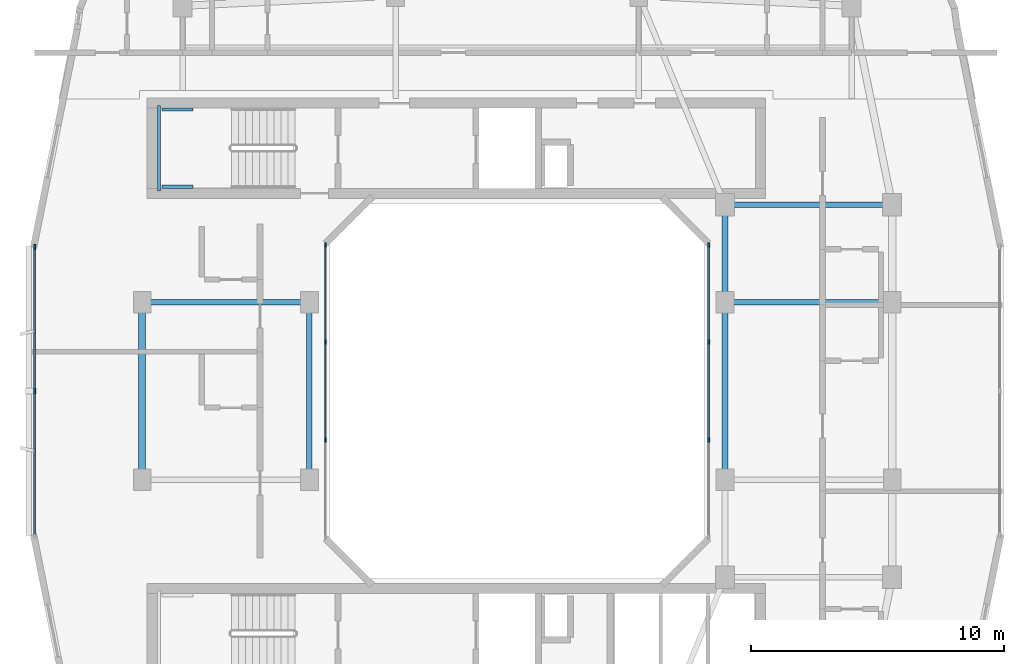
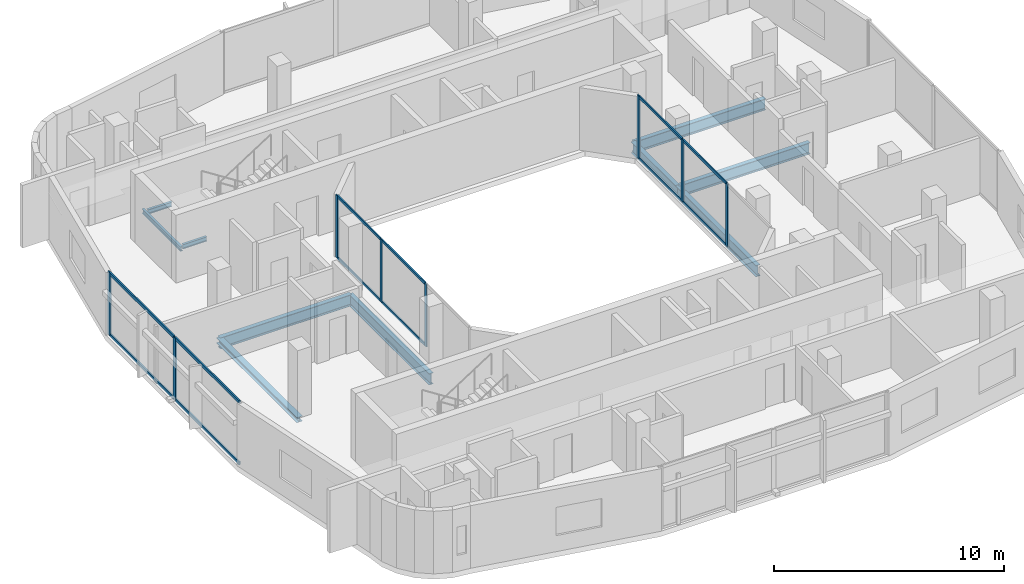
# One storey, part 3 of 14: 20 members, 10 beams, 3 elements without a shape of their own.
"""IFC4 building model written with IfcOpenShell, lengths in metres."""

from ifc_helpers import new_model, si_unit, derived_unit, direction, frame, origin, origin_2d, place, context, subcontext, project, spatial, rectangle, i_section, extrude, material, layer, layer_set, material_profile, profile_set, type_object, element, aggregate, save


model = new_model("IFC4")

# Units and contexts
model_context = context("Model", 3, precision=1e-05, world=origin(), true_north=direction((0.0, 1.0)))
body_context = subcontext(model_context, "Body", "Model", "MODEL_VIEW")
ifc_project = project(units=[si_unit("LENGTHUNIT", "METRE"), si_unit("AREAUNIT", "SQUARE_METRE"), si_unit("VOLUMEUNIT", "CUBIC_METRE"), si_unit("PLANEANGLEUNIT", "RADIAN"), si_unit("MASSUNIT", "GRAM", prefix="KILO"), derived_unit("THERMALTRANSMITTANCEUNIT", [(si_unit("POWERUNIT", "WATT"), 1), (si_unit("LENGTHUNIT", "METRE"), -2), (si_unit("THERMODYNAMICTEMPERATUREUNIT", "KELVIN"), -1)])], contexts=[model_context])

# Site, building, storey
site_placement = place(None, origin())
site = spatial("IfcSite", under=ifc_project, at=site_placement, CompositionType="ELEMENT")
building_placement = place(site_placement, origin())
building = spatial("IfcBuilding", under=site, at=building_placement, Name="Kivonza Crest Hotel", CompositionType="ELEMENT")
storey_placement = place(building_placement, frame((0.0, 0.0, 202.699951171875)))
storey = spatial("IfcBuildingStorey", under=building, at=storey_placement, Name="L55", CompositionType="ELEMENT", Elevation=202.699951171875)

# Beams
ifc_material_1 = material(Name="Steel S355", Category="steel")
ifc_material_profile_1 = material_profile(ifc_material_1, i_section(OverallWidth=0.280029296875, OverallDepth=0.280029296875, WebThickness=0.010498046875, FlangeThickness=0.01806640625, FilletRadius=0.02392578125, at=origin_2d()), Name="HEB 280")
ifc_profile_set_1 = profile_set([ifc_material_profile_1], Name="Steel S355")
beam_type_1 = type_object("IfcBeamType", Name="BM-HEB280", PredefinedType="SPANDREL", material=ifc_profile_set_1)
beam_1_placement = place(storey_placement, frame((6.199951171875, 28.5, -0.419921875), z_axis=(0.0, -1.0, 0.0), x_axis=(1.0, 0.0, 0.0)))
element("IfcBeam", 1, at=beam_1_placement, inside=storey, type_object=beam_type_1, Name="Tower T1 L55 perimeter spandrel W2-W1", PredefinedType="SPANDREL", context=body_context, shape_type="SweptSolid", body=[
    extrude(i_section(OverallWidth=0.280029296875, OverallDepth=0.280029296875, WebThickness=0.010498046875, FlangeThickness=0.01806640625, FilletRadius=0.02392578125, at=origin_2d()), origin(), (0.0, 0.0, 1.0), 7.0),
])
ifc_material_profile_2 = material_profile(ifc_material_1, i_section(OverallWidth=0.219970703125, OverallDepth=0.60009765625, WebThickness=0.011962890625, FlangeThickness=0.01904296875, FilletRadius=0.02392578125, at=origin_2d()), Name="IPE 600")
ifc_profile_set_2 = profile_set([ifc_material_profile_2], Name="Steel S355")
beam_type_2 = type_object("IfcBeamType", Name="BM-IPE600", PredefinedType="BEAM", material=ifc_profile_set_2)
beam_2_placement = place(storey_placement, frame((6.199951171875, 28.5, -0.579833984375), z_axis=(1.0, 0.0, 0.0), x_axis=(0.0, 1.0, 0.0)))
element("IfcBeam", 2, at=beam_2_placement, inside=storey, type_object=beam_type_2, Name="Tower T1 L55 primary girder W2-WL2", PredefinedType="BEAM", context=body_context, shape_type="SweptSolid", body=[
    extrude(i_section(OverallWidth=0.219970703125, OverallDepth=0.60009765625, WebThickness=0.011962890625, FlangeThickness=0.01904296875, FilletRadius=0.02392578125, at=origin_2d()), origin(), (0.0, 0.0, 1.0), 6.60009765625),
])
beam_3_placement = place(storey_placement, frame((12.800048828125, 21.5, -0.579833984375), z_axis=(0.0, 1.0, 0.0), x_axis=(-1.0, 0.0, 0.0)))
element("IfcBeam", 3, at=beam_3_placement, inside=storey, type_object=beam_type_2, Name="Tower T1 L55 primary girder WL1-WL2", PredefinedType="BEAM", context=body_context, shape_type="SweptSolid", body=[
    extrude(i_section(OverallWidth=0.219970703125, OverallDepth=0.60009765625, WebThickness=0.011962890625, FlangeThickness=0.01904296875, FilletRadius=0.02392578125, at=origin_2d()), origin(), (0.0, 0.0, 1.0), 7.0),
])
beam_4_placement = place(storey_placement, frame((29.199951171875, 32.35009765625, -0.579833984375), z_axis=(1.0, 0.0, 0.0), x_axis=(0.0, 1.0, 0.0)))
element("IfcBeam", 4, at=beam_4_placement, inside=storey, type_object=beam_type_2, Name="Tower T1 L55 primary girder TNE-PNE", PredefinedType="BEAM", context=body_context, shape_type="SweptSolid", body=[
    extrude(i_section(OverallWidth=0.219970703125, OverallDepth=0.60009765625, WebThickness=0.011962890625, FlangeThickness=0.01904296875, FilletRadius=0.02392578125, at=origin_2d()), origin(), (0.0, 0.0, 1.0), 6.60009765625),
])
beam_5_placement = place(storey_placement, frame((29.199951171875, 21.5, -0.579833984375), z_axis=(0.0, 1.0, 0.0), x_axis=(-1.0, 0.0, 0.0)))
element("IfcBeam", 5, at=beam_5_placement, inside=storey, type_object=beam_type_2, Name="Tower T1 L55 primary girder WR1-WR2", PredefinedType="BEAM", context=body_context, shape_type="SweptSolid", body=[
    extrude(i_section(OverallWidth=0.219970703125, OverallDepth=0.60009765625, WebThickness=0.011962890625, FlangeThickness=0.01904296875, FilletRadius=0.02392578125, at=origin_2d()), origin(), (0.0, 0.0, 1.0), 7.0),
])
beam_6_placement = place(storey_placement, frame((29.199951171875, 28.5, -0.579833984375), z_axis=(0.0, 1.0, 0.0), x_axis=(-1.0, 0.0, 0.0)))
element("IfcBeam", 6, at=beam_6_placement, inside=storey, type_object=beam_type_2, Name="Tower T1 L55 primary girder WR2-TNE", PredefinedType="BEAM", context=body_context, shape_type="SweptSolid", body=[
    extrude(i_section(OverallWidth=0.219970703125, OverallDepth=0.60009765625, WebThickness=0.011962890625, FlangeThickness=0.01904296875, FilletRadius=0.02392578125, at=origin_2d()), origin(), (0.0, 0.0, 1.0), 3.85009765625),
])
beam_7_placement = place(storey_placement, frame((29.199951171875, 28.5, -0.579833984375), z_axis=(1.0, 0.0, 0.0), x_axis=(0.0, 1.0, 0.0)))
element("IfcBeam", 7, at=beam_7_placement, inside=storey, type_object=beam_type_2, Name="Tower T1 L55 primary girder WR2-E2", PredefinedType="BEAM", context=body_context, shape_type="SweptSolid", body=[
    extrude(i_section(OverallWidth=0.219970703125, OverallDepth=0.60009765625, WebThickness=0.011962890625, FlangeThickness=0.01904296875, FilletRadius=0.02392578125, at=origin_2d()), origin(), (0.0, 0.0, 1.0), 6.60009765625),
])
ifc_material_profile_3 = material_profile(ifc_material_1, i_section(OverallWidth=0.1201171875, OverallDepth=0.239990234375, WebThickness=0.006103515625, FlangeThickness=0.009765625, FilletRadius=0.014892578125, at=origin_2d()), Name="IPE 240")
ifc_profile_set_3 = profile_set([ifc_material_profile_3], Name="Steel S355")
beam_type_3 = type_object("IfcBeamType", Name="BM-LLDG-240", PredefinedType="BEAM", material=ifc_profile_set_3)
beam_8_placement = place(storey_placement, frame((6.860107421875, 32.89990234375, 1.47998046875), z_axis=(0.0, 1.0, 0.0), x_axis=(-1.0, 0.0, 0.0)))
element("IfcBeam", 8, at=beam_8_placement, inside=storey, type_object=beam_type_3, Name="Stair ST-T1-N L55 West landing corbel", PredefinedType="BEAM", context=body_context, shape_type="SweptSolid", body=[
    extrude(i_section(OverallWidth=0.1201171875, OverallDepth=0.239990234375, WebThickness=0.006103515625, FlangeThickness=0.009765625, FilletRadius=0.014892578125, at=origin_2d()), origin(), (0.0, 0.0, 1.0), 3.360107421875),
])
for number, where, z_axis, x_axis, name in (
    (9, (6.989990234375, 33.06005859375, 1.47998046875), (1.0, 0.0, 0.0), (0.0, 1.0, 0.0), "Stair ST-T1-N L55 South landing corbel"),
    (10, (6.989990234375, 36.10009765625, 1.47998046875), (1.0, 0.0, 0.0), (0.0, 1.0, 0.0), "Stair ST-T1-N L55 North landing corbel"),
):
    element("IfcBeam", number, at=place(storey_placement, frame(where, z_axis=z_axis, x_axis=x_axis)), inside=storey, type_object=beam_type_3, Name=name, PredefinedType="BEAM", context=body_context, shape_type="SweptSolid", body=[
        extrude(i_section(OverallWidth=0.1201171875, OverallDepth=0.239990234375, WebThickness=0.006103515625, FlangeThickness=0.009765625, FilletRadius=0.014892578125, at=origin_2d()), origin(), (0.0, 0.0, 1.0), 1.2099609375),
    ])

# Curtain wall, members
ifc_material_2 = material(Name="Anodised bronze aluminium and low-E double glazing", Category="aluminium")
ifc_layer_1 = layer(ifc_material_2, 0.159912109375)
ifc_layer_set_1 = layer_set([ifc_layer_1], Name="Anodised bronze aluminium and low-E double glazing")
curtain_wall_type_1 = type_object("IfcCurtainWallType", Name="CW-SYS-5", PredefinedType="NOTDEFINED", material=ifc_layer_set_1)
curtain_wall_1_placement = place(storey_placement, origin())
curtain_wall_1 = element("IfcCurtainWall", 11, at=curtain_wall_1_placement, inside=storey, type_object=curtain_wall_type_1, Name="L55 unitised curtain wall CW-WELL-T1-L55-3", PredefinedType="NOTDEFINED")
ifc_material_3 = material(Name="Anodised bronze aluminium", Category="aluminium")
ifc_material_profile_4 = material_profile(ifc_material_3, rectangle(XDim=0.06494140625, YDim=0.179931640625, at=origin_2d()), Name="CW-M 65x180")
ifc_profile_set_4 = profile_set([ifc_material_profile_4], Name="Anodised bronze aluminium")
member_type_1 = type_object("IfcMemberType", Name="CW-MUL-65x180", PredefinedType="MULLION", material=ifc_profile_set_4)
member_1_placement = place(storey_placement, frame((28.56005859375, 23.066650390625, 0.0), z_axis=(0.0, 0.0, 1.0), x_axis=(-1.0, 0.0, 0.0)))
member_1 = element("IfcMember", 12, at=member_1_placement, type_object=member_type_1, Name="CW-5 mullion 2", PredefinedType="MULLION", context=body_context, shape_type="SweptSolid", body=[
    extrude(rectangle(XDim=0.06494140625, YDim=0.179931640625, at=origin_2d()), origin(), (0.0, 0.0, 1.0), 3.320068359375),
])
member_2_placement = place(storey_placement, frame((28.56005859375, 26.933349609375, 0.0), z_axis=(0.0, 0.0, 1.0), x_axis=(-1.0, 0.0, 0.0)))
member_2 = element("IfcMember", 13, at=member_2_placement, type_object=member_type_1, Name="CW-5 mullion 3", PredefinedType="MULLION", context=body_context, shape_type="SweptSolid", body=[
    extrude(rectangle(XDim=0.06494140625, YDim=0.179931640625, at=origin_2d()), origin(), (0.0, 0.0, 1.0), 3.320068359375),
])
member_3_placement = place(storey_placement, frame((28.56005859375, 30.767578125, 0.0), z_axis=(0.0, 0.0, 1.0), x_axis=(-1.0, 0.0, 0.0)))
member_3 = element("IfcMember", 14, at=member_3_placement, type_object=member_type_1, Name="CW-5 mullion 4", PredefinedType="MULLION", context=body_context, shape_type="SweptSolid", body=[
    extrude(rectangle(XDim=0.06494140625, YDim=0.179931640625, at=origin_2d()), origin(), (0.0, 0.0, 1.0), 3.320068359375),
])

curtain_wall_2_placement = place(storey_placement, origin())
curtain_wall_2 = element("IfcCurtainWall", 15, at=curtain_wall_2_placement, inside=storey, type_object=curtain_wall_type_1, Name="L55 unitised curtain wall CW-WELL-T1-L55-7", PredefinedType="NOTDEFINED")
member_4_placement = place(storey_placement, frame((13.43994140625, 30.767578125, 0.0), z_axis=(0.0, 0.0, 1.0), x_axis=(1.0, 0.0, 0.0)))
member_4 = element("IfcMember", 16, at=member_4_placement, type_object=member_type_1, Name="CW-5 mullion 1", PredefinedType="MULLION", context=body_context, shape_type="SweptSolid", body=[
    extrude(rectangle(XDim=0.06494140625, YDim=0.179931640625, at=origin_2d()), origin(), (0.0, 0.0, 1.0), 3.320068359375),
])
member_5_placement = place(storey_placement, frame((13.43994140625, 26.933349609375, 0.0), z_axis=(0.0, 0.0, 1.0), x_axis=(1.0, 0.0, 0.0)))
member_5 = element("IfcMember", 17, at=member_5_placement, type_object=member_type_1, Name="CW-5 mullion 2", PredefinedType="MULLION", context=body_context, shape_type="SweptSolid", body=[
    extrude(rectangle(XDim=0.06494140625, YDim=0.179931640625, at=origin_2d()), origin(), (0.0, 0.0, 1.0), 3.320068359375),
])
member_6_placement = place(storey_placement, frame((13.43994140625, 23.066650390625, 0.0), z_axis=(0.0, 0.0, 1.0), x_axis=(1.0, 0.0, 0.0)))
member_6 = element("IfcMember", 18, at=member_6_placement, type_object=member_type_1, Name="CW-5 mullion 3", PredefinedType="MULLION", context=body_context, shape_type="SweptSolid", body=[
    extrude(rectangle(XDim=0.06494140625, YDim=0.179931640625, at=origin_2d()), origin(), (0.0, 0.0, 1.0), 3.320068359375),
])

ifc_layer_2 = layer(ifc_material_2, 0.179931640625)
ifc_layer_set_2 = layer_set([ifc_layer_2], Name="Anodised bronze aluminium and low-E double glazing")
curtain_wall_type_2 = type_object("IfcCurtainWallType", Name="CW-SYS-3", PredefinedType="NOTDEFINED", material=ifc_layer_set_2)
curtain_wall_3_placement = place(storey_placement, origin())
curtain_wall_3 = element("IfcCurtainWall", 19, at=curtain_wall_3_placement, inside=storey, type_object=curtain_wall_type_2, Name="L55 unitised curtain wall CW-T1-L55-35", PredefinedType="NOTDEFINED")
ifc_material_profile_5 = material_profile(ifc_material_3, rectangle(XDim=0.074951171875, YDim=0.219970703125, at=origin_2d()), Name="CW-M 75x220")
ifc_profile_set_5 = profile_set([ifc_material_profile_5], Name="Anodised bronze aluminium")
member_type_2 = type_object("IfcMemberType", Name="CW-MUL-75x220", PredefinedType="MULLION", material=ifc_profile_set_5)
member_7_placement = place(storey_placement, frame((1.9599609375, 30.6826171875, 0.0), z_axis=(0.0, 0.0, 1.0), x_axis=(1.0, 0.0, 0.0)))
member_7 = element("IfcMember", 20, at=member_7_placement, type_object=member_type_2, Name="CW-3 mullion 1", PredefinedType="MULLION", context=body_context, shape_type="SweptSolid", body=[
    extrude(rectangle(XDim=0.074951171875, YDim=0.219970703125, at=origin_2d()), origin(), (0.0, 0.0, 1.0), 3.320068359375),
])
member_8_placement = place(storey_placement, frame((1.9599609375, 25.0, 0.0), z_axis=(0.0, 0.0, 1.0), x_axis=(1.0, 0.0, 0.0)))
member_8 = element("IfcMember", 21, at=member_8_placement, type_object=member_type_2, Name="CW-3 mullion 2", PredefinedType="MULLION", context=body_context, shape_type="SweptSolid", body=[
    extrude(rectangle(XDim=0.074951171875, YDim=0.219970703125, at=origin_2d()), origin(), (0.0, 0.0, 1.0), 3.320068359375),
])

# Member
ifc_material_profile_6 = material_profile(ifc_material_3, rectangle(XDim=0.06494140625, YDim=0.139892578125, at=origin_2d()), Name="CW-T 65x140")
ifc_profile_set_6 = profile_set([ifc_material_profile_6], Name="Anodised bronze aluminium")
member_type_3 = type_object("IfcMemberType", Name="CW-TRN-65x140", PredefinedType="USERDEFINED", material=ifc_profile_set_6)
member_9_placement = place(storey_placement, frame((28.56005859375, 23.09912109375, 0.032470703125), z_axis=(0.0, 1.0, 0.0), x_axis=(-1.0, 0.0, 0.0)))
member_9 = element("IfcMember", 22, at=member_9_placement, type_object=member_type_3, Name="CW-5 transom 2.1", ObjectType="TRANSOM", PredefinedType="USERDEFINED", context=body_context, shape_type="SweptSolid", body=[
    extrude(rectangle(XDim=0.06494140625, YDim=0.139892578125, at=origin_2d()), origin(), (0.0, 0.0, 1.0), 3.8017578125),
])

member_10_placement = place(storey_placement, frame((28.56005859375, 23.09912109375, 3.28759765625), z_axis=(0.0, 1.0, 0.0), x_axis=(-1.0, 0.0, 0.0)))
member_10 = element("IfcMember", 23, at=member_10_placement, type_object=member_type_3, Name="CW-5 transom 2.2", ObjectType="TRANSOM", PredefinedType="USERDEFINED", context=body_context, shape_type="SweptSolid", body=[
    extrude(rectangle(XDim=0.06494140625, YDim=0.139892578125, at=origin_2d()), origin(), (0.0, 0.0, 1.0), 3.8017578125),
])

member_11_placement = place(storey_placement, frame((28.56005859375, 26.9658203125, 0.032470703125), z_axis=(0.0, 1.0, 0.0), x_axis=(-1.0, 0.0, 0.0)))
member_11 = element("IfcMember", 24, at=member_11_placement, type_object=member_type_3, Name="CW-5 transom 3.1", ObjectType="TRANSOM", PredefinedType="USERDEFINED", context=body_context, shape_type="SweptSolid", body=[
    extrude(rectangle(XDim=0.06494140625, YDim=0.139892578125, at=origin_2d()), origin(), (0.0, 0.0, 1.0), 3.769287109375),
])

member_12_placement = place(storey_placement, frame((28.56005859375, 26.9658203125, 3.28759765625), z_axis=(0.0, 1.0, 0.0), x_axis=(-1.0, 0.0, 0.0)))
member_12 = element("IfcMember", 25, at=member_12_placement, type_object=member_type_3, Name="CW-5 transom 3.2", ObjectType="TRANSOM", PredefinedType="USERDEFINED", context=body_context, shape_type="SweptSolid", body=[
    extrude(rectangle(XDim=0.06494140625, YDim=0.139892578125, at=origin_2d()), origin(), (0.0, 0.0, 1.0), 3.769287109375),
])

aggregate(curtain_wall_1, [member_1, member_2, member_3, member_9, member_10, member_11, member_12])

member_13_placement = place(storey_placement, frame((13.43994140625, 30.735107421875, 0.032470703125), z_axis=(0.0, -1.0, 0.0), x_axis=(1.0, 0.0, 0.0)))
member_13 = element("IfcMember", 26, at=member_13_placement, type_object=member_type_3, Name="CW-5 transom 1.1", ObjectType="TRANSOM", PredefinedType="USERDEFINED", context=body_context, shape_type="SweptSolid", body=[
    extrude(rectangle(XDim=0.06494140625, YDim=0.139892578125, at=origin_2d()), origin(), (0.0, 0.0, 1.0), 3.769287109375),
])

member_14_placement = place(storey_placement, frame((13.43994140625, 30.735107421875, 3.28759765625), z_axis=(0.0, -1.0, 0.0), x_axis=(1.0, 0.0, 0.0)))
member_14 = element("IfcMember", 27, at=member_14_placement, type_object=member_type_3, Name="CW-5 transom 1.2", ObjectType="TRANSOM", PredefinedType="USERDEFINED", context=body_context, shape_type="SweptSolid", body=[
    extrude(rectangle(XDim=0.06494140625, YDim=0.139892578125, at=origin_2d()), origin(), (0.0, 0.0, 1.0), 3.769287109375),
])

member_15_placement = place(storey_placement, frame((13.43994140625, 26.90087890625, 0.032470703125), z_axis=(0.0, -1.0, 0.0), x_axis=(1.0, 0.0, 0.0)))
member_15 = element("IfcMember", 28, at=member_15_placement, type_object=member_type_3, Name="CW-5 transom 2.1", ObjectType="TRANSOM", PredefinedType="USERDEFINED", context=body_context, shape_type="SweptSolid", body=[
    extrude(rectangle(XDim=0.06494140625, YDim=0.139892578125, at=origin_2d()), origin(), (0.0, 0.0, 1.0), 3.8017578125),
])

member_16_placement = place(storey_placement, frame((13.43994140625, 26.90087890625, 3.28759765625), z_axis=(0.0, -1.0, 0.0), x_axis=(1.0, 0.0, 0.0)))
member_16 = element("IfcMember", 29, at=member_16_placement, type_object=member_type_3, Name="CW-5 transom 2.2", ObjectType="TRANSOM", PredefinedType="USERDEFINED", context=body_context, shape_type="SweptSolid", body=[
    extrude(rectangle(XDim=0.06494140625, YDim=0.139892578125, at=origin_2d()), origin(), (0.0, 0.0, 1.0), 3.8017578125),
])

aggregate(curtain_wall_2, [member_4, member_5, member_6, member_13, member_14, member_15, member_16])

ifc_material_profile_7 = material_profile(ifc_material_3, rectangle(XDim=0.074951171875, YDim=0.159912109375, at=origin_2d()), Name="CW-T 75x160")
ifc_profile_set_7 = profile_set([ifc_material_profile_7], Name="Anodised bronze aluminium")
member_type_4 = type_object("IfcMemberType", Name="CW-TRN-75x160", PredefinedType="USERDEFINED", material=ifc_profile_set_7)
member_17_placement = place(storey_placement, frame((1.9599609375, 30.64501953125, 0.03759765625), z_axis=(0.0, -1.0, 0.0), x_axis=(1.0, 0.0, 0.0)))
member_17 = element("IfcMember", 30, at=member_17_placement, type_object=member_type_4, Name="CW-3 transom 1.1", ObjectType="TRANSOM", PredefinedType="USERDEFINED", context=body_context, shape_type="SweptSolid", body=[
    extrude(rectangle(XDim=0.074951171875, YDim=0.159912109375, at=origin_2d()), origin(), (0.0, 0.0, 1.0), 5.607421875),
])

member_18_placement = place(storey_placement, frame((1.9599609375, 30.64501953125, 3.282470703125), z_axis=(0.0, -1.0, 0.0), x_axis=(1.0, 0.0, 0.0)))
member_18 = element("IfcMember", 31, at=member_18_placement, type_object=member_type_4, Name="CW-3 transom 1.2", ObjectType="TRANSOM", PredefinedType="USERDEFINED", context=body_context, shape_type="SweptSolid", body=[
    extrude(rectangle(XDim=0.074951171875, YDim=0.159912109375, at=origin_2d()), origin(), (0.0, 0.0, 1.0), 5.607421875),
])

member_19_placement = place(storey_placement, frame((1.9599609375, 24.96240234375, 0.03759765625), z_axis=(0.0, -1.0, 0.0), x_axis=(1.0, 0.0, 0.0)))
member_19 = element("IfcMember", 32, at=member_19_placement, type_object=member_type_4, Name="CW-3 transom 2.1", ObjectType="TRANSOM", PredefinedType="USERDEFINED", context=body_context, shape_type="SweptSolid", body=[
    extrude(rectangle(XDim=0.074951171875, YDim=0.159912109375, at=origin_2d()), origin(), (0.0, 0.0, 1.0), 5.607421875),
])

member_20_placement = place(storey_placement, frame((1.9599609375, 24.96240234375, 3.282470703125), z_axis=(0.0, -1.0, 0.0), x_axis=(1.0, 0.0, 0.0)))
member_20 = element("IfcMember", 33, at=member_20_placement, type_object=member_type_4, Name="CW-3 transom 2.2", ObjectType="TRANSOM", PredefinedType="USERDEFINED", context=body_context, shape_type="SweptSolid", body=[
    extrude(rectangle(XDim=0.074951171875, YDim=0.159912109375, at=origin_2d()), origin(), (0.0, 0.0, 1.0), 5.607421875),
])

aggregate(curtain_wall_3, [member_7, member_8, member_17, member_18, member_19, member_20])

save(model, "model.ifc")
